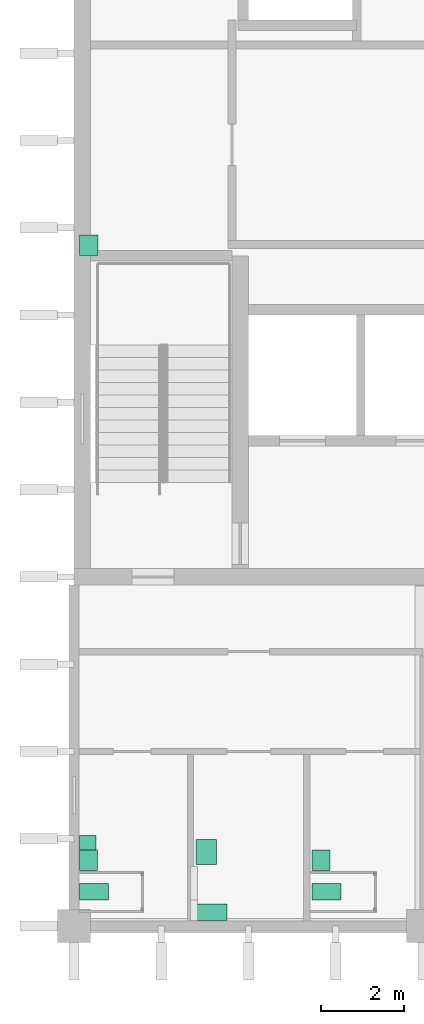
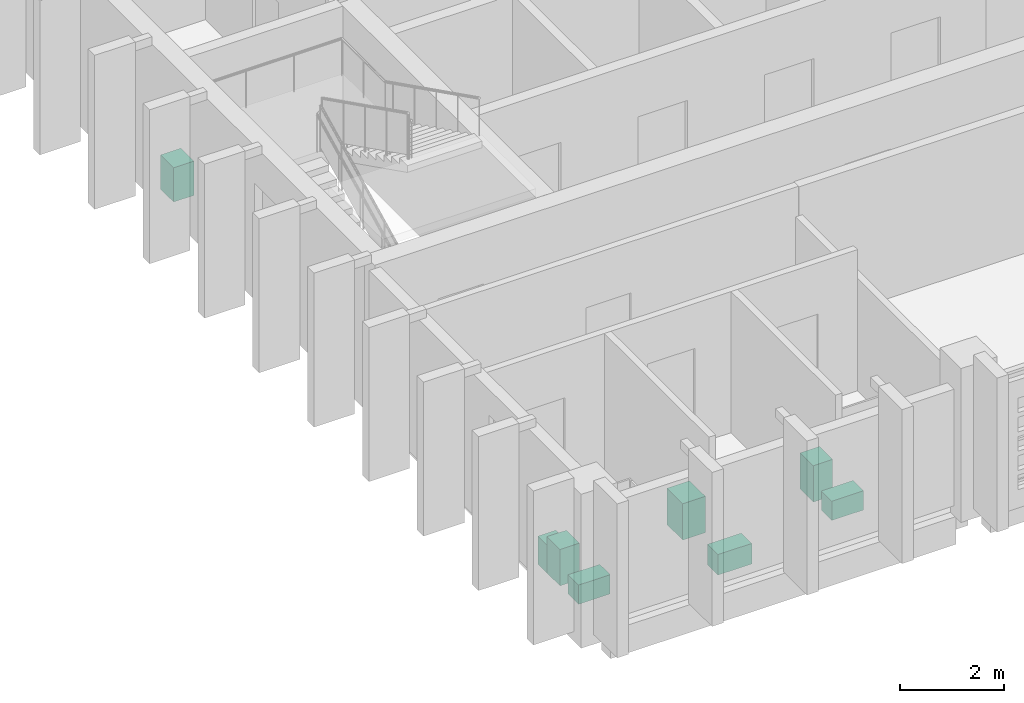
# One storey, part 13 of 13: 8 sanitary terminals.
"""IFC4 building model written with IfcOpenShell, lengths in metres."""

import ifcopenshell
import ifcopenshell.guid

model = None  # the IFC model being written
_history = None  # IfcOwnerHistory: only IFC2X3 demands one
_inside = {}  # id of a spatial element -> (the spatial element, [elements in it])
_under = {}  # id of a project, library or spatial element -> (it, [spatial elements below it])
_declared = {}  # id of a project -> (the project, [libraries it declares])
_typed = {}  # id of a type object -> (the type object, [elements of that type])
_made_of = {}  # id of a material, layer set ... -> (it, [elements and type objects made of it])


def new_model(schema):
    """Start an empty IFC model of exactly this schema.

    Asked for "IFC4X3", IfcOpenShell would pick the latest addendum, in which some entities
    have other attributes; the version numbers below select the first issue.
    IFC2X3 requires an IfcOwnerHistory on every rooted entity: one is made here for all.
    """
    global model, _history
    if schema == "IFC4X3":
        model = ifcopenshell.file(schema_version=(4, 3, 0, 0))
    else:
        model = ifcopenshell.file(schema=schema)
    _inside.clear()
    _under.clear()
    _declared.clear()
    _typed.clear()
    _made_of.clear()
    _history = None
    if model.schema == "IFC2X3":
        org = make("IfcOrganization", Name="unknown")
        user = make(
            "IfcPersonAndOrganization",
            ThePerson=make("IfcPerson", FamilyName="unknown"),
            TheOrganization=org,
        )
        app = make(
            "IfcApplication",
            ApplicationDeveloper=org,
            Version="unknown",
            ApplicationFullName="unknown",
            ApplicationIdentifier="unknown",
        )
        _history = make(
            "IfcOwnerHistory",
            OwningUser=user,
            OwningApplication=app,
            ChangeAction="ADDED",
            CreationDate=0,
        )
    return model


def make(cls, **values):
    """One entity of the class cls with the attributes given. An attribute that is None is left unset."""
    return model.create_entity(
        cls, **{name: value for name, value in values.items() if value is not None}
    )


def rooted(cls, **values):
    """An entity with a GlobalId (a new one), such as an element, a storey or a relation."""
    return make(cls, GlobalId=ifcopenshell.guid.new(), OwnerHistory=_history, **values)


def si_unit(unit_type, name, prefix=None):
    """IfcSIUnit, for example si_unit("LENGTHUNIT", "METRE", prefix="MILLI")."""
    return make("IfcSIUnit", UnitType=unit_type, Prefix=prefix, Name=name)


def assignment(units):
    """IfcUnitAssignment: the units of a project."""
    return None if units is None else make("IfcUnitAssignment", Units=units)


def point(xyz):
    """IfcCartesianPoint."""
    return None if xyz is None else make("IfcCartesianPoint", Coordinates=xyz)


def direction(xyz):
    """IfcDirection."""
    return None if xyz is None else make("IfcDirection", DirectionRatios=xyz)


def frame(location, z_axis=None, x_axis=None):
    """IfcAxis2Placement3D, a coordinate frame: its origin and axes. An axis left out is left unset."""
    return make(
        "IfcAxis2Placement3D",
        Location=point(location),
        Axis=direction(z_axis),
        RefDirection=direction(x_axis),
    )


def frame_2d(location, x_axis=None):
    """IfcAxis2Placement2D, a coordinate frame in the plane: its origin and x axis."""
    return make(
        "IfcAxis2Placement2D", Location=point(location), RefDirection=direction(x_axis)
    )


def origin():
    """The frame at (0, 0, 0) with its axes left unset."""
    return frame((0.0, 0.0, 0.0))


def origin_2d():
    """The frame at (0, 0) in the plane with its x axis left unset."""
    return frame_2d((0.0, 0.0))


def place(relative_to, where):
    """IfcLocalPlacement: puts the frame where relative to a parent placement (None: the world)."""
    return make(
        "IfcLocalPlacement", PlacementRelTo=relative_to, RelativePlacement=where
    )


def context(
    kind, dimensions, precision=None, world=None, true_north=None, identifier=None
):
    """IfcGeometricRepresentationContext, for example the 3D "Model" context."""
    return make(
        "IfcGeometricRepresentationContext",
        ContextIdentifier=identifier,
        ContextType=kind,
        CoordinateSpaceDimension=dimensions,
        Precision=precision,
        WorldCoordinateSystem=world,
        TrueNorth=true_north,
    )


def subcontext(parent, identifier, kind, view, scale=None):
    """IfcGeometricRepresentationSubContext, for example "Body" below "Model"."""
    return make(
        "IfcGeometricRepresentationSubContext",
        ContextIdentifier=identifier,
        ContextType=kind,
        ParentContext=parent,
        TargetScale=scale,
        TargetView=view,
    )


def project(units=None, contexts=None):
    """IfcProject with its units and contexts."""
    return rooted(
        "IfcProject",
        Name="project",
        RepresentationContexts=contexts,
        UnitsInContext=assignment(units),
    )


def spatial(cls, under=None, at=None, **own):
    """A site, building, storey or space (cls), placed at a placement, below another one or the project."""
    s = rooted(cls, ObjectPlacement=at, **own)
    if under is not None:
        _under.setdefault(under.id(), (under, []))[1].append(s)
    return s


def profile(cls, at=None, kind="AREA", **sizes):
    """A parametric profile (cls). Its sizes go by their IFC names, for example OverallWidth=200.0."""
    return make(cls, ProfileType=kind, Position=at, **sizes)


def rectangle(**sizes):
    """IfcRectangleProfileDef."""
    return profile("IfcRectangleProfileDef", **sizes)


def extrude(swept, where, along, depth):
    """IfcExtrudedAreaSolid: the profile swept, set in the frame where, extruded along a direction by depth."""
    return make(
        "IfcExtrudedAreaSolid",
        SweptArea=swept,
        Position=where,
        ExtrudedDirection=direction(along),
        Depth=depth,
    )


def shape(context_of_items, identifier, shape_type, items):
    """IfcShapeRepresentation: the items that make up one representation, for example the "Body"."""
    return make(
        "IfcShapeRepresentation",
        ContextOfItems=context_of_items,
        RepresentationIdentifier=identifier,
        RepresentationType=shape_type,
        Items=items,
    )


def material(Name=None, Category=None):
    """IfcMaterial."""
    return make("IfcMaterial", Name=Name, Category=Category)


def made_of(thing, what):
    """Note that an element or type object is made of a material, layer set ...; save() writes the relation."""
    if what is not None:
        _made_of.setdefault(what.id(), (what, []))[1].append(thing)
    return thing


def type_object(cls, material=None, **own):
    """A type object (cls), such as IfcWallType, which elements share."""
    return made_of(rooted(cls, **own), material)


def element(
    cls,
    number,
    at=None,
    inside=None,
    cuts=None,
    type_object=None,
    material=None,
    context=None,
    identifier="Body",
    shape_type=None,
    held_by="IfcProductDefinitionShape",
    body=None,
    shapes=None,
    **own,
):
    """One element of the class cls, such as IfcWall. Its Tag is "e" and its number.

    at: its placement. inside: the storey or other place that contains it. cuts: it is an
    opening in that element (IfcRelVoidsElement). A single representation is given by context,
    identifier, shape_type and body (its items); several are given by shapes. held_by: the class
    of the entity that holds the representations. save() writes the other relations.
    """
    e = rooted(cls, Tag="e%d" % number, ObjectPlacement=at, **own)
    if body is not None:
        shapes = [shape(context, identifier, shape_type, body)]
    if shapes is not None:
        e.Representation = make(held_by, Representations=shapes)
    if inside is not None:
        _inside.setdefault(inside.id(), (inside, []))[1].append(e)
    if cuts is not None:
        rooted(
            "IfcRelVoidsElement", RelatingBuildingElement=cuts, RelatedOpeningElement=e
        )
    if type_object is not None:
        _typed.setdefault(type_object.id(), (type_object, []))[1].append(e)
    return made_of(e, material)


def aggregate(whole, parts):
    """IfcRelAggregates: a whole, such as a stair, and the parts it consists of."""
    return rooted("IfcRelAggregates", RelatingObject=whole, RelatedObjects=parts)


def save(model, path):
    """Write the relations noted so far, then the file.

    IfcRelAggregates (storeys below a building ...), IfcRelContainedInSpatialStructure (elements
    in a storey), IfcRelDefinesByType, IfcRelAssociatesMaterial and IfcRelDeclares: one each for
    every whole, place, type object, material and project.
    """
    for whole, parts in _under.values():
        aggregate(whole, parts)
    for where, things in _inside.values():
        rooted(
            "IfcRelContainedInSpatialStructure",
            RelatedElements=things,
            RelatingStructure=where,
        )
    for kind, things in _typed.values():
        rooted("IfcRelDefinesByType", RelatedObjects=things, RelatingType=kind)
    for what, things in _made_of.values():
        rooted("IfcRelAssociatesMaterial", RelatedObjects=things, RelatingMaterial=what)
    for by, libraries in _declared.values():
        rooted("IfcRelDeclares", RelatingContext=by, RelatedDefinitions=libraries)
    model.write(path)


model = new_model("IFC4")

# Units and contexts
model_context = context("Model", 3, precision=1e-05, world=origin(), true_north=direction((0.0, 1.0)))
body_context = subcontext(model_context, "Body", "Model", "MODEL_VIEW")
ifc_project = project(units=[si_unit("LENGTHUNIT", "METRE"), si_unit("AREAUNIT", "SQUARE_METRE"), si_unit("VOLUMEUNIT", "CUBIC_METRE"), si_unit("PLANEANGLEUNIT", "RADIAN"), si_unit("MASSUNIT", "GRAM", prefix="KILO")], contexts=[model_context])

# Site, building, storey
site_placement = place(None, origin())
site = spatial("IfcSite", under=ifc_project, at=site_placement, CompositionType="ELEMENT")
building_placement = place(site_placement, origin())
building = spatial("IfcBuilding", under=site, at=building_placement, Name="Rulbaag Community and Learning Centre", CompositionType="ELEMENT")
storey_placement = place(building_placement, frame((0.0, 0.0, 39.60009765625)))
storey = spatial("IfcBuildingStorey", under=building, at=storey_placement, Name="L10", CompositionType="ELEMENT", Elevation=39.60009765625)

# Sanitary terminals
ifc_material_1 = material(Name="Vitreous china", Category="ceramic")
sanitary_terminal_type_1 = type_object("IfcSanitaryTerminalType", Name="BS-500", PredefinedType="WASHHANDBASIN", material=ifc_material_1)
for number, where, z_axis, x_axis, name in (
    (1, (143.14501953125, 85.580078125, -0.000244140625), (0.0, 0.0, 1.0), (1.0, 0.0, 0.0), "Basin 93"),
    (2, (148.7451171875, 85.580078125, -0.000244140625), (0.0, 0.0, 1.0), (1.0, 0.0, 0.0), "Basin 94"),
):
    element("IfcSanitaryTerminal", number, at=place(storey_placement, frame(where, z_axis=z_axis, x_axis=x_axis)), inside=storey, type_object=sanitary_terminal_type_1, Name=name, PredefinedType="WASHHANDBASIN", context=body_context, shape_type="SweptSolid", body=[
        extrude(rectangle(XDim=0.429931640625, YDim=0.5, at=origin_2d()), origin(), (0.0, 0.0, 1.0), 0.85009765625),
    ])
sanitary_terminal_type_2 = type_object("IfcSanitaryTerminalType", Name="BS-AC-600", PredefinedType="WASHHANDBASIN", material=ifc_material_1)
sanitary_terminal_1_placement = place(storey_placement, frame((145.97998046875, 85.780029296875, -0.000244140625), z_axis=(0.0, 0.0, 1.0), x_axis=(1.0, 0.0, 0.0)))
element("IfcSanitaryTerminal", 3, at=sanitary_terminal_1_placement, inside=storey, type_object=sanitary_terminal_type_2, Name="Basin 95", PredefinedType="WASHHANDBASIN", context=body_context, shape_type="SweptSolid", body=[
    extrude(rectangle(XDim=0.5, YDim=0.60009765625, at=origin_2d()), origin(), (0.0, 0.0, 1.0), 0.85009765625),
])
ifc_material_2 = material(Name="Stainless steel", Category="steel")
sanitary_terminal_type_3 = type_object("IfcSanitaryTerminalType", Name="SK-CL-500", PredefinedType="SINK", material=ifc_material_2)
sanitary_terminal_2_placement = place(storey_placement, frame((143.155029296875, 100.3798828125, 0.0), z_axis=(0.0, 0.0, 1.0), x_axis=(1.0, 0.0, 0.0)))
element("IfcSanitaryTerminal", 4, at=sanitary_terminal_2_placement, inside=storey, type_object=sanitary_terminal_type_3, Name="Sink 19", PredefinedType="SINK", context=body_context, shape_type="SweptSolid", body=[
    extrude(rectangle(XDim=0.449951171875, YDim=0.5, at=origin_2d()), origin(), (0.0, 0.0, 1.0), 0.800048828125),
])
sanitary_terminal_type_4 = type_object("IfcSanitaryTerminalType", Name="UR-350", PredefinedType="URINAL", material=ifc_material_1)
sanitary_terminal_3_placement = place(storey_placement, frame((143.1298828125, 86.0048828125, 0.0), z_axis=(0.0, 0.0, 1.0), x_axis=(1.0, 0.0, 0.0)))
element("IfcSanitaryTerminal", 5, at=sanitary_terminal_3_placement, inside=storey, type_object=sanitary_terminal_type_4, Name="Urinal 160", PredefinedType="URINAL", context=body_context, shape_type="SweptSolid", body=[
    extrude(rectangle(XDim=0.39990234375, YDim=0.35009765625, at=origin_2d()), origin(), (0.0, 0.0, 1.0), 0.64990234375),
])
sanitary_terminal_type_5 = type_object("IfcSanitaryTerminalType", Name="WC-400", PredefinedType="TOILETPAN", material=ifc_material_1)
for number, where, z_axis, x_axis, name in (
    (6, (143.280029296875, 84.820068359375, 0.0), (0.0, 0.0, 1.0), (1.0, 0.0, 0.0), "WC 154"),
    (7, (148.8798828125, 84.820068359375, 0.0), (0.0, 0.0, 1.0), (1.0, 0.0, 0.0), "WC 155"),
):
    element("IfcSanitaryTerminal", number, at=place(storey_placement, frame(where, z_axis=z_axis, x_axis=x_axis)), inside=storey, type_object=sanitary_terminal_type_5, Name=name, PredefinedType="TOILETPAN", context=body_context, shape_type="SweptSolid", body=[
        extrude(rectangle(XDim=0.699951171875, YDim=0.39990234375, at=origin_2d()), origin(), (0.0, 0.0, 1.0), 0.449951171875),
    ])
sanitary_terminal_type_6 = type_object("IfcSanitaryTerminalType", Name="WC-AC-480", PredefinedType="TOILETPAN", material=ifc_material_1)
sanitary_terminal_4_placement = place(storey_placement, frame((146.10498046875, 84.330078125, 0.0), z_axis=(0.0, 0.0, 1.0), x_axis=(1.0, 0.0, 0.0)))
element("IfcSanitaryTerminal", 8, at=sanitary_terminal_4_placement, inside=storey, type_object=sanitary_terminal_type_6, Name="WC 156", PredefinedType="TOILETPAN", context=body_context, shape_type="SweptSolid", body=[
    extrude(rectangle(XDim=0.75, YDim=0.39990234375, at=origin_2d()), origin(), (0.0, 0.0, 1.0), 0.47998046875),
])

save(model, "model.ifc")
